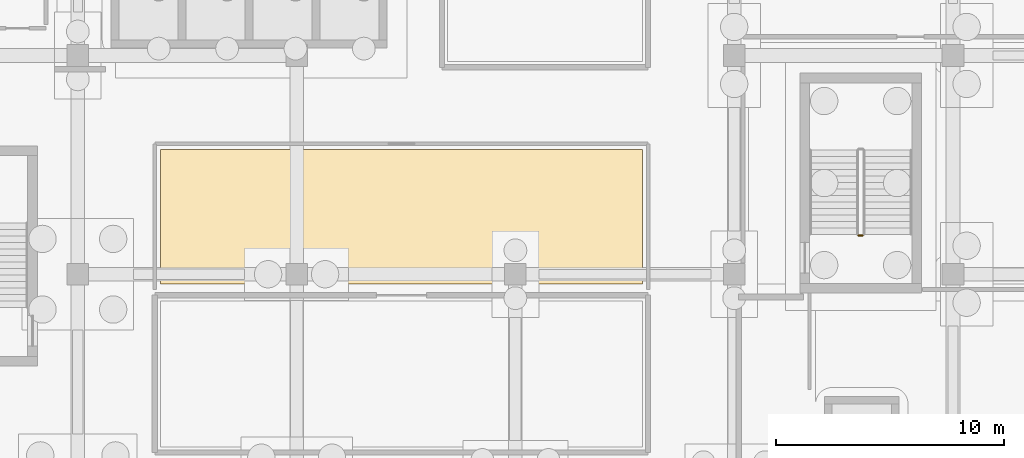
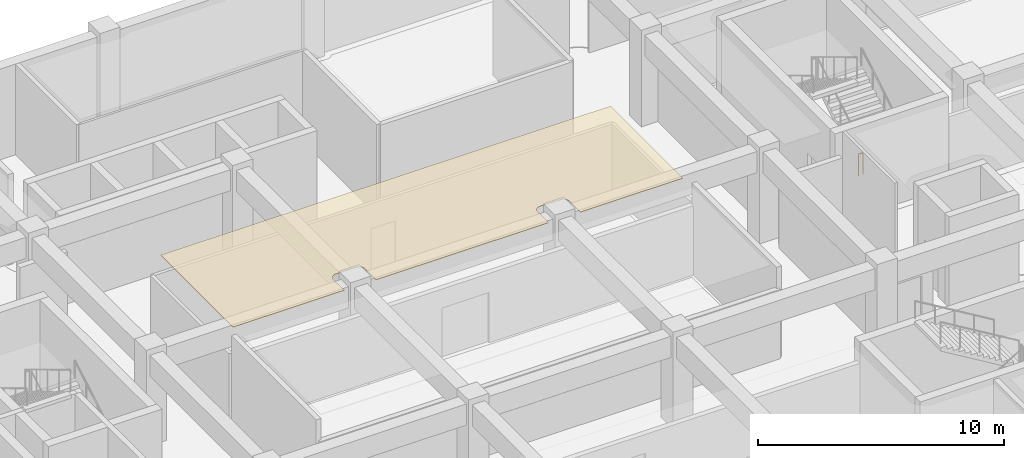
# One storey, part 26 of 47: 1 covering, 1 railing.
"""IFC4 building model written with IfcOpenShell, lengths in metres."""

from ifc_helpers import new_model, si_unit, direction, frame, origin, origin_2d, place, context, subcontext, project, spatial, polyline, circle, outline, extrude, material, layer, layer_set, type_object, element, save


model = new_model("IFC4")

# Units and contexts
model_context = context("Model", 3, precision=1e-05, world=origin(), true_north=direction((0.0, 1.0)))
body_context = subcontext(model_context, "Body", "Model", "MODEL_VIEW")
ifc_project = project(units=[si_unit("LENGTHUNIT", "METRE"), si_unit("AREAUNIT", "SQUARE_METRE"), si_unit("VOLUMEUNIT", "CUBIC_METRE"), si_unit("PLANEANGLEUNIT", "RADIAN"), si_unit("MASSUNIT", "GRAM", prefix="KILO")], contexts=[model_context])

# Site, building, storey
site_placement = place(None, origin())
site = spatial("IfcSite", under=ifc_project, at=site_placement, CompositionType="ELEMENT")
building_placement = place(site_placement, origin())
building = spatial("IfcBuilding", under=site, at=building_placement, Name="Cendralis Terraced Arcade", CompositionType="ELEMENT")
storey_placement = place(building_placement, frame((0.0, 0.0, -4.800048828125)))
storey = spatial("IfcBuildingStorey", under=building, at=storey_placement, Name="B1", CompositionType="ELEMENT", Elevation=-4.800048828125)

# Covering
ifc_material_1 = material(Name="Gypsum plasterboard acoustic partition")
ifc_layer = layer(ifc_material_1, 0.02490234375, Name="COV-CEIL-ACOU-25")
ifc_layer_set = layer_set([ifc_layer], Name="Gypsum plasterboard acoustic partition")
covering_type = type_object("IfcCoveringType", Name="COV-CEIL-ACOU-25", PredefinedType="CEILING", material=ifc_layer_set)
covering_placement = place(storey_placement, frame((0.0, 0.0, 4.47509765625)))
element("IfcCovering", 1, at=covering_placement, inside=storey, type_object=covering_type, Name="Acoustic Soffit Ceiling B1-006", PredefinedType="CEILING", context=body_context, shape_type="SweptSolid", body=[
    extrude(outline(polyline([(22.830078125, 28.3701171875), (22.830078125, 34.27001953125), (43.969970703125, 34.27001953125), (43.969970703125, 28.3701171875), (39.14501953125, 28.3701171875), (39.14501953125, 29.27490234375), (39.144775390625, 29.287353515625), (39.14453125, 29.289306640625), (39.14208984375, 29.313720703125), (39.141845703125, 29.315673828125), (39.13720703125, 29.339599609375), (39.13671875, 29.341552734375), (39.12939453125, 29.364990234375), (39.12890625, 29.366943359375), (39.119384765625, 29.389404296875), (39.11865234375, 29.391357421875), (39.107177734375, 29.4130859375), (39.106201171875, 29.41455078125), (39.09228515625, 29.43505859375), (39.09130859375, 29.4365234375), (39.07568359375, 29.45556640625), (39.074462890625, 29.45703125), (39.056884765625, 29.474365234375), (39.0556640625, 29.4755859375), (39.03662109375, 29.4912109375), (39.034912109375, 29.492431640625), (39.0146484375, 29.506103515625), (39.012939453125, 29.507080078125), (38.9912109375, 29.5185546875), (38.989501953125, 29.51953125), (38.966796875, 29.52880859375), (38.965087890625, 29.529541015625), (38.941650390625, 29.53662109375), (38.939697265625, 29.537109375), (38.91552734375, 29.5419921875), (38.91357421875, 29.542236328125), (38.88916015625, 29.544677734375), (38.88720703125, 29.544677734375), (38.875, 29.544921875), (37.925048828125, 29.544921875), (37.91259765625, 29.544677734375), (37.910888671875, 29.544677734375), (37.886474609375, 29.542236328125), (37.884521484375, 29.5419921875), (37.8603515625, 29.537109375), (37.8583984375, 29.53662109375), (37.8349609375, 29.529541015625), (37.8330078125, 29.52880859375), (37.810546875, 29.51953125), (37.80859375, 29.5185546875), (37.787109375, 29.507080078125), (37.785400390625, 29.506103515625), (37.764892578125, 29.492431640625), (37.763427734375, 29.4912109375), (37.744384765625, 29.4755859375), (37.742919921875, 29.474365234375), (37.7255859375, 29.45703125), (37.724365234375, 29.45556640625), (37.708740234375, 29.4365234375), (37.70751953125, 29.43505859375), (37.69384765625, 29.41455078125), (37.69287109375, 29.4130859375), (37.681396484375, 29.391357421875), (37.680419921875, 29.389404296875), (37.671142578125, 29.366943359375), (37.67041015625, 29.364990234375), (37.663330078125, 29.341552734375), (37.662841796875, 29.339599609375), (37.658203125, 29.315673828125), (37.65771484375, 29.313720703125), (37.655517578125, 29.289306640625), (37.6552734375, 29.287353515625), (37.655029296875, 29.27490234375), (37.655029296875, 28.3701171875), (29.544921875, 28.3701171875), (29.544921875, 29.27490234375), (29.544677734375, 29.287353515625), (29.544677734375, 29.289306640625), (29.542236328125, 29.313720703125), (29.5419921875, 29.315673828125), (29.537109375, 29.339599609375), (29.53662109375, 29.341552734375), (29.529541015625, 29.364990234375), (29.52880859375, 29.366943359375), (29.51953125, 29.389404296875), (29.5185546875, 29.391357421875), (29.507080078125, 29.4130859375), (29.506103515625, 29.41455078125), (29.492431640625, 29.43505859375), (29.4912109375, 29.4365234375), (29.4755859375, 29.45556640625), (29.474365234375, 29.45703125), (29.45703125, 29.474365234375), (29.45556640625, 29.4755859375), (29.4365234375, 29.4912109375), (29.43505859375, 29.492431640625), (29.41455078125, 29.506103515625), (29.4130859375, 29.507080078125), (29.391357421875, 29.5185546875), (29.389404296875, 29.51953125), (29.366943359375, 29.52880859375), (29.364990234375, 29.529541015625), (29.341552734375, 29.53662109375), (29.339599609375, 29.537109375), (29.315673828125, 29.5419921875), (29.313720703125, 29.542236328125), (29.289306640625, 29.544677734375), (29.287353515625, 29.544677734375), (29.27490234375, 29.544921875), (28.324951171875, 29.544921875), (28.312744140625, 29.544677734375), (28.310791015625, 29.544677734375), (28.286376953125, 29.542236328125), (28.284423828125, 29.5419921875), (28.260498046875, 29.537109375), (28.25830078125, 29.53662109375), (28.235107421875, 29.529541015625), (28.233154296875, 29.52880859375), (28.21044921875, 29.51953125), (28.208740234375, 29.5185546875), (28.18701171875, 29.507080078125), (28.185302734375, 29.506103515625), (28.1650390625, 29.492431640625), (28.163330078125, 29.4912109375), (28.144287109375, 29.4755859375), (28.14306640625, 29.474365234375), (28.12548828125, 29.45703125), (28.124267578125, 29.45556640625), (28.108642578125, 29.4365234375), (28.107666015625, 29.43505859375), (28.093994140625, 29.41455078125), (28.093017578125, 29.4130859375), (28.081298828125, 29.391357421875), (28.08056640625, 29.389404296875), (28.071044921875, 29.366943359375), (28.070556640625, 29.364990234375), (28.0634765625, 29.341552734375), (28.06298828125, 29.339599609375), (28.05810546875, 29.315673828125), (28.057861328125, 29.313720703125), (28.055419921875, 29.289306640625), (28.055419921875, 29.287353515625), (28.054931640625, 29.27490234375), (28.054931640625, 28.3701171875), (22.830078125, 28.3701171875)])), origin(), (0.0, 0.0, 1.0), 0.02490234375),
])

# Railing
ifc_material_2 = material(Name="Brushed stainless steel AISI 316", Category="steel")
railing_type = type_object("IfcRailingType", Name="RL-STAIR-GUARD-1100", PredefinedType="GUARDRAIL", material=ifc_material_2)
railing_placement = place(storey_placement, frame((53.64990234375, 30.5, 0.0)))
element("IfcRailing", 2, at=railing_placement, inside=storey, type_object=railing_type, Name="B1 ST-04 stair guard 4", PredefinedType="GUARDRAIL", context=body_context, shape_type="SweptSolid", body=[
    extrude(circle(Radius=0.02392578125, at=origin_2d()), frame((0.0, 0.0, 1.076171875), z_axis=(-1.0, 0.0, 0.0), x_axis=(0.0, -1.0, 0.0)), (0.0, 0.0, 1.0), 0.199951171875),
    extrude(circle(Radius=0.02099609375, at=origin_2d()), origin(), (0.0, 0.0, 1.0), 1.052001953125),
    extrude(circle(Radius=0.02099609375, at=origin_2d()), frame((-0.199951171875, 0.0, 0.0)), (0.0, 0.0, 1.0), 1.052001953125),
])

save(model, "model.ifc")
